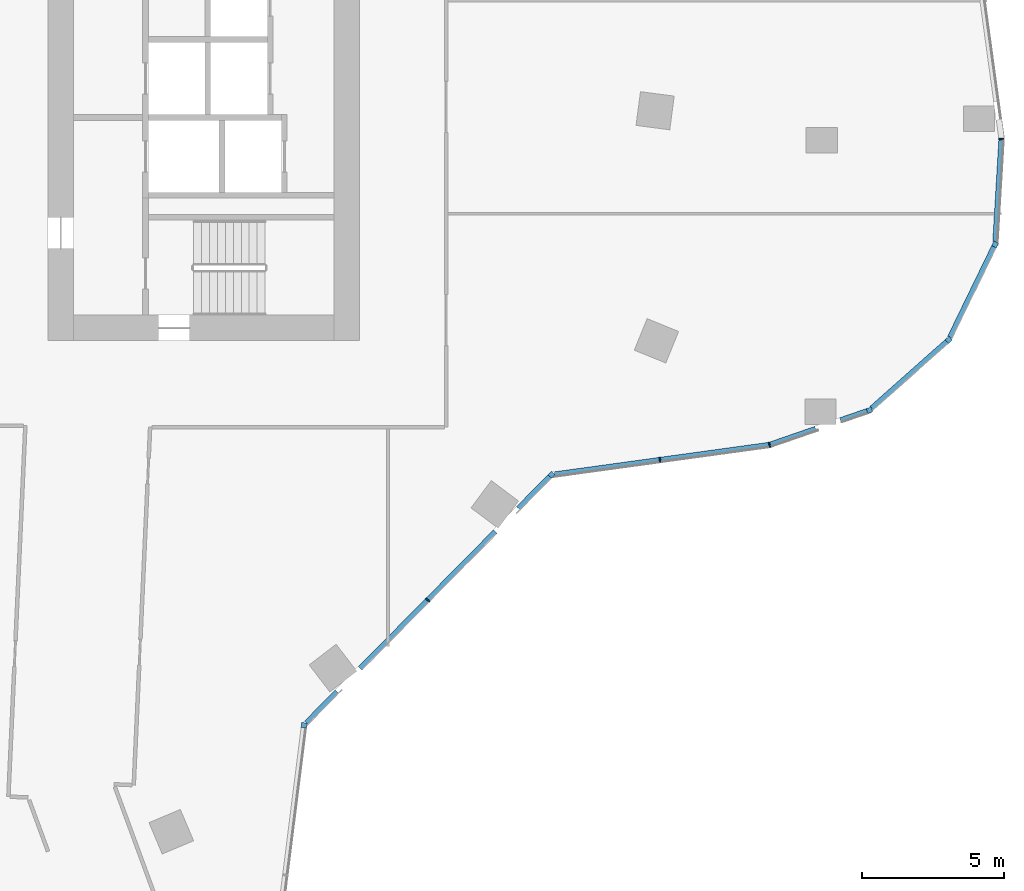
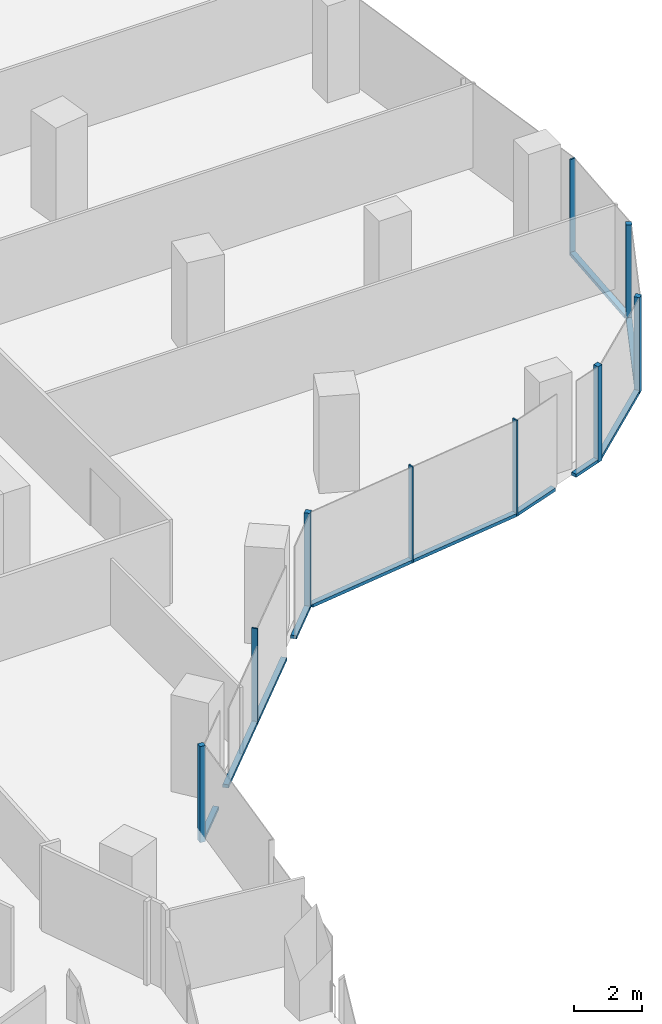
# One storey, part 7 of 27: 18 members, 7 elements without a shape of their own.
"""IFC4 building model written with IfcOpenShell, lengths in metres."""

from ifc_helpers import new_model, si_unit, direction, frame, origin, origin_2d, place, context, subcontext, project, spatial, rectangle, extrude, material, material_profile, profile_set, type_object, element, aggregate, save


model = new_model("IFC4")

# Units and contexts
model_context = context("Model", 3, precision=1e-05, world=origin(), true_north=direction((0.0, 1.0)))
body_context = subcontext(model_context, "Body", "Model", "MODEL_VIEW")
ifc_project = project(units=[si_unit("LENGTHUNIT", "METRE"), si_unit("AREAUNIT", "SQUARE_METRE"), si_unit("VOLUMEUNIT", "CUBIC_METRE"), si_unit("PLANEANGLEUNIT", "RADIAN"), si_unit("MASSUNIT", "GRAM", prefix="KILO")], contexts=[model_context])

# Site, building, storey
site_placement = place(None, origin())
site = spatial("IfcSite", under=ifc_project, at=site_placement, CompositionType="ELEMENT")
building_placement = place(site_placement, origin())
building = spatial("IfcBuilding", under=site, at=building_placement, Name="Orlundy Tower", CompositionType="ELEMENT")
storey_placement = place(building_placement, frame((0.0, 0.0, 202.60009765625)))
storey = spatial("IfcBuildingStorey", under=building, at=storey_placement, Name="L53", CompositionType="ELEMENT", Elevation=202.60009765625)

# Curtain wall, member
ifc_material_1 = material(Name="Aluminium bronze anodised", Category="aluminium")
curtain_wall_type = type_object("IfcCurtainWallType", Name="CW1 wall", PredefinedType="NOTDEFINED", material=ifc_material_1)
curtain_wall_1_placement = place(storey_placement, origin())
curtain_wall_1 = element("IfcCurtainWall", 1, at=curtain_wall_1_placement, inside=storey, type_object=curtain_wall_type, Name="CW1 run 013", PredefinedType="NOTDEFINED")
ifc_material_2 = material(Name="Aluminium bronze anodised", Category="aluminium")
ifc_material_profile_1 = material_profile(ifc_material_2, rectangle(XDim=0.179931640625, YDim=0.179931640625, at=origin_2d()), Name="CW1 corner post 180x180")
ifc_profile_set_1 = profile_set([ifc_material_profile_1], Name="Aluminium bronze anodised")
member_type_1 = type_object("IfcMemberType", Name="CW1 corner post 180x180", PredefinedType="MULLION", material=ifc_profile_set_1)
member_1_placement = place(storey_placement, frame((41.420654296875, -8.605224609375, -0.420166015625), z_axis=(0.0, 0.0, 1.0), x_axis=(0.899441505342, -0.437041163358, 0.0)))
member_1 = element("IfcMember", 2, at=member_1_placement, type_object=member_type_1, Name="CW1 mullion 37", PredefinedType="MULLION", context=body_context, shape_type="SweptSolid", body=[
    extrude(rectangle(XDim=0.179931640625, YDim=0.179931640625, at=origin_2d()), origin(), (0.0, 0.0, 1.0), 3.469970703125),
])

curtain_wall_2_placement = place(storey_placement, origin())
curtain_wall_2 = element("IfcCurtainWall", 3, at=curtain_wall_2_placement, inside=storey, type_object=curtain_wall_type, Name="CW1 run 014", PredefinedType="NOTDEFINED")
member_2_placement = place(storey_placement, frame((39.78515625, -11.971435546875, -0.420166015625), z_axis=(0.0, 0.0, 1.0), x_axis=(0.663760711342, -0.747944996694, 0.0)))
member_2 = element("IfcMember", 4, at=member_2_placement, type_object=member_type_1, Name="CW1 mullion 38", PredefinedType="MULLION", context=body_context, shape_type="SweptSolid", body=[
    extrude(rectangle(XDim=0.179931640625, YDim=0.179931640625, at=origin_2d()), origin(), (0.0, 0.0, 1.0), 3.469970703125),
])

curtain_wall_3_placement = place(storey_placement, origin())
curtain_wall_3 = element("IfcCurtainWall", 5, at=curtain_wall_3_placement, inside=storey, type_object=curtain_wall_type, Name="CW1 run 015", PredefinedType="NOTDEFINED")
member_3_placement = place(storey_placement, frame((36.986328125, -14.455078125, -0.420166015625), z_axis=(0.0, 0.0, 1.0), x_axis=(0.32697157273, -0.945034174317, 0.0)))
member_3 = element("IfcMember", 6, at=member_3_placement, type_object=member_type_1, Name="CW1 mullion 39", PredefinedType="MULLION", context=body_context, shape_type="SweptSolid", body=[
    extrude(rectangle(XDim=0.179931640625, YDim=0.179931640625, at=origin_2d()), origin(), (0.0, 0.0, 1.0), 3.469970703125),
])

curtain_wall_4_placement = place(storey_placement, origin())
curtain_wall_4 = element("IfcCurtainWall", 7, at=curtain_wall_4_placement, inside=storey, type_object=curtain_wall_type, Name="CW1 run 017", PredefinedType="NOTDEFINED")
member_4_placement = place(storey_placement, frame((25.767578125, -16.73388671875, -0.420166015625), z_axis=(0.0, 0.0, 1.0), x_axis=(0.711219038994, -0.702970467781, 0.0)))
member_4 = element("IfcMember", 8, at=member_4_placement, type_object=member_type_1, Name="CW1 mullion 42", PredefinedType="MULLION", context=body_context, shape_type="SweptSolid", body=[
    extrude(rectangle(XDim=0.179931640625, YDim=0.179931640625, at=origin_2d()), origin(), (0.0, 0.0, 1.0), 3.469970703125),
])

curtain_wall_5_placement = place(storey_placement, origin())
curtain_wall_5 = element("IfcCurtainWall", 9, at=curtain_wall_5_placement, inside=storey, type_object=curtain_wall_type, Name="CW1 run 018", PredefinedType="NOTDEFINED")
member_5_placement = place(storey_placement, frame((17.032470703125, -25.571533203125, -0.420166015625), z_axis=(0.0, 0.0, 1.0), x_axis=(0.992189164773, -0.124742379758, 0.0)))
member_5 = element("IfcMember", 10, at=member_5_placement, type_object=member_type_1, Name="CW1 mullion 44", PredefinedType="MULLION", context=body_context, shape_type="SweptSolid", body=[
    extrude(rectangle(XDim=0.179931640625, YDim=0.179931640625, at=origin_2d()), origin(), (0.0, 0.0, 1.0), 3.469970703125),
])
aggregate(curtain_wall_5, [member_5])

curtain_wall_6_placement = place(storey_placement, origin())
curtain_wall_6 = element("IfcCurtainWall", 11, at=curtain_wall_6_placement, inside=storey, type_object=curtain_wall_type, Name="CW1 run 012", PredefinedType="NOTDEFINED")
ifc_material_3 = material(Name="Aluminium bronze anodised", Category="aluminium")
ifc_material_profile_2 = material_profile(ifc_material_3, rectangle(XDim=0.179931640625, YDim=0.050048828125, at=origin_2d()), Name="CW1 mullion 50x180")
ifc_profile_set_2 = profile_set([ifc_material_profile_2], Name="Aluminium bronze anodised")
member_type_2 = type_object("IfcMemberType", Name="CW1 mullion 50x180", PredefinedType="MULLION", material=ifc_profile_set_2)
member_6_placement = place(storey_placement, frame((41.643310546875, -4.87841796875, -0.420166015625), z_axis=(0.0, 0.0, 1.0), x_axis=(0.999257951647, 0.038516828414, 0.0)))
member_6 = element("IfcMember", 12, at=member_6_placement, type_object=member_type_2, Name="CW1 mullion 36", PredefinedType="MULLION", context=body_context, shape_type="SweptSolid", body=[
    extrude(rectangle(XDim=0.179931640625, YDim=0.050048828125, at=origin_2d()), origin(), (0.0, 0.0, 1.0), 3.469970703125),
])

# Curtain wall, members
curtain_wall_7_placement = place(storey_placement, origin())
curtain_wall_7 = element("IfcCurtainWall", 13, at=curtain_wall_7_placement, inside=storey, type_object=curtain_wall_type, Name="CW1 run 016", PredefinedType="NOTDEFINED")
member_7_placement = place(storey_placement, frame((33.4580078125, -15.676025390625, -0.420166015625), z_axis=(0.0, 0.0, 1.0), x_axis=(0.232753873533, -0.972535672536, 0.0)))
member_7 = element("IfcMember", 14, at=member_7_placement, type_object=member_type_2, Name="CW1 mullion 40", PredefinedType="MULLION", context=body_context, shape_type="SweptSolid", body=[
    extrude(rectangle(XDim=0.179931640625, YDim=0.050048828125, at=origin_2d()), origin(), (0.0, 0.0, 1.0), 3.469970703125),
])
member_8_placement = place(storey_placement, frame((29.59326171875, -16.207763671875, -0.420166015625), z_axis=(0.0, 0.0, 1.0), x_axis=(0.13629398476, -0.990668435814, 0.0)))
member_8 = element("IfcMember", 15, at=member_8_placement, type_object=member_type_2, Name="CW1 mullion 41", PredefinedType="MULLION", context=body_context, shape_type="SweptSolid", body=[
    extrude(rectangle(XDim=0.179931640625, YDim=0.050048828125, at=origin_2d()), origin(), (0.0, 0.0, 1.0), 3.469970703125),
])

# Member
member_9_placement = place(storey_placement, frame((21.39990234375, -21.15283203125, -0.420166015625), z_axis=(0.0, 0.0, 1.0), x_axis=(0.711219038994, -0.702970467781, 0.0)))
member_9 = element("IfcMember", 16, at=member_9_placement, type_object=member_type_2, Name="CW1 mullion 43", PredefinedType="MULLION", context=body_context, shape_type="SweptSolid", body=[
    extrude(rectangle(XDim=0.179931640625, YDim=0.050048828125, at=origin_2d()), origin(), (0.0, 0.0, 1.0), 3.469970703125),
])

ifc_material_4 = material(Name="Aluminium bronze anodised", Category="aluminium")
ifc_material_profile_3 = material_profile(ifc_material_4, rectangle(XDim=0.179931640625, YDim=0.1201171875, at=origin_2d()), Name="CW1 transom 180x120")
ifc_profile_set_3 = profile_set([ifc_material_profile_3], Name="Aluminium bronze anodised")
member_type_3 = type_object("IfcMemberType", Name="CW1 transom 180x120", PredefinedType="USERDEFINED", material=ifc_profile_set_3)
member_10_placement = place(storey_placement, frame((41.641845703125, -4.903564453125, -0.360107421875), z_axis=(-0.05963359079, -0.998220333819, 0.0), x_axis=(0.998220333819, -0.05963359079, 0.0)))
member_10 = element("IfcMember", 17, at=member_10_placement, type_object=member_type_3, Name="CW1 transom", ObjectType="TRANSOM", PredefinedType="USERDEFINED", context=body_context, shape_type="SweptSolid", body=[
    extrude(rectangle(XDim=0.179931640625, YDim=0.1201171875, at=origin_2d()), origin(), (0.0, 0.0, 1.0), 3.61083984375),
])

aggregate(curtain_wall_6, [member_6, member_10])

member_11_placement = place(storey_placement, frame((41.38134765625, -8.686279296875, -0.360107421875), z_axis=(-0.437048428858, -0.899437974978, 0.0), x_axis=(0.899437974978, -0.437048428858, 0.0)))
member_11 = element("IfcMember", 18, at=member_11_placement, type_object=member_type_3, Name="CW1 transom", ObjectType="TRANSOM", PredefinedType="USERDEFINED", context=body_context, shape_type="SweptSolid", body=[
    extrude(rectangle(XDim=0.179931640625, YDim=0.1201171875, at=origin_2d()), origin(), (0.0, 0.0, 1.0), 3.554931640625),
])

aggregate(curtain_wall_1, [member_1, member_11])

member_12_placement = place(storey_placement, frame((39.7177734375, -12.03125, -0.360107421875), z_axis=(-0.747924477446, -0.663783832311, 0.0), x_axis=(0.663783832311, -0.747924477446, 0.0)))
member_12 = element("IfcMember", 19, at=member_12_placement, type_object=member_type_3, Name="CW1 transom", ObjectType="TRANSOM", PredefinedType="USERDEFINED", context=body_context, shape_type="SweptSolid", body=[
    extrude(rectangle(XDim=0.179931640625, YDim=0.1201171875, at=origin_2d()), origin(), (0.0, 0.0, 1.0), 3.554443359375),
])

aggregate(curtain_wall_2, [member_2, member_12])

member_13_placement = place(storey_placement, frame((36.9013671875, -14.484619140625, -0.360107421875), z_axis=(-0.9450267743, -0.326992959948, 0.0), x_axis=(0.326992959948, -0.9450267743, 0.0)))
member_13 = element("IfcMember", 20, at=member_13_placement, type_object=member_type_3, Name="CW1 transom", ObjectType="TRANSOM", PredefinedType="USERDEFINED", context=body_context, shape_type="SweptSolid", body=[
    extrude(rectangle(XDim=0.179931640625, YDim=0.1201171875, at=origin_2d()), origin(), (0.0, 0.0, 1.0), 0.998291015625),
])

member_14_placement = place(storey_placement, frame((35.085205078125, -15.113037109375, -0.360107421875), z_axis=(-0.945054480209, -0.326912877441, 0.0), x_axis=(0.326912877441, -0.945054480209, 0.0)))
member_14 = element("IfcMember", 21, at=member_14_placement, type_object=member_type_3, Name="CW1 transom", ObjectType="TRANSOM", PredefinedType="USERDEFINED", context=body_context, shape_type="SweptSolid", body=[
    extrude(rectangle(XDim=0.179931640625, YDim=0.1201171875, at=origin_2d()), origin(), (0.0, 0.0, 1.0), 1.69677734375),
])

aggregate(curtain_wall_3, [member_3, member_13, member_14])

member_15_placement = place(storey_placement, frame((33.43310546875, -15.679443359375, -0.360107421875), z_axis=(-0.990670087353, -0.136281979823, 0.0), x_axis=(0.136281979823, -0.990670087353, 0.0)))
member_15 = element("IfcMember", 22, at=member_15_placement, type_object=member_type_3, Name="CW1 transom", ObjectType="TRANSOM", PredefinedType="USERDEFINED", context=body_context, shape_type="SweptSolid", body=[
    extrude(rectangle(XDim=0.179931640625, YDim=0.1201171875, at=origin_2d()), origin(), (0.0, 0.0, 1.0), 7.624267578125),
])

aggregate(curtain_wall_7, [member_7, member_8, member_15])

member_16_placement = place(storey_placement, frame((25.704345703125, -16.798095703125, -0.360107421875), z_axis=(-0.703065381314, -0.711125213727, 0.0), x_axis=(0.711125213727, -0.703065381314, 0.0)))
member_16 = element("IfcMember", 23, at=member_16_placement, type_object=member_type_3, Name="CW1 transom", ObjectType="TRANSOM", PredefinedType="USERDEFINED", context=body_context, shape_type="SweptSolid", body=[
    extrude(rectangle(XDim=0.179931640625, YDim=0.1201171875, at=origin_2d()), origin(), (0.0, 0.0, 1.0), 1.5751953125),
])

member_17_placement = place(storey_placement, frame((23.7880859375, -18.736572265625, -0.360107421875), z_axis=(-0.702962592662, -0.711226822693, 0.0), x_axis=(0.711226822693, -0.702962592662, 0.0)))
member_17 = element("IfcMember", 24, at=member_17_placement, type_object=member_type_3, Name="CW1 transom", ObjectType="TRANSOM", PredefinedType="USERDEFINED", context=body_context, shape_type="SweptSolid", body=[
    extrude(rectangle(XDim=0.179931640625, YDim=0.1201171875, at=origin_2d()), origin(), (0.0, 0.0, 1.0), 6.794677734375),
])

member_18_placement = place(storey_placement, frame((18.202880859375, -24.387451171875, -0.360107421875), z_axis=(-0.702924460902, -0.711264509353, 0.0), x_axis=(0.711264509353, -0.702924460902, 0.0)))
member_18 = element("IfcMember", 25, at=member_18_placement, type_object=member_type_3, Name="CW1 transom", ObjectType="TRANSOM", PredefinedType="USERDEFINED", context=body_context, shape_type="SweptSolid", body=[
    extrude(rectangle(XDim=0.179931640625, YDim=0.1201171875, at=origin_2d()), origin(), (0.0, 0.0, 1.0), 1.551513671875),
])

aggregate(curtain_wall_4, [member_4, member_9, member_16, member_17, member_18])

save(model, "model.ifc")
